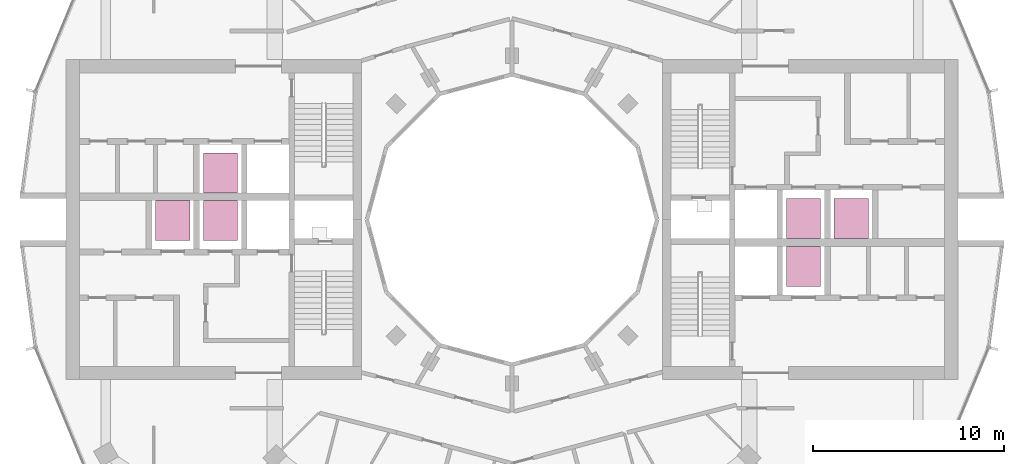
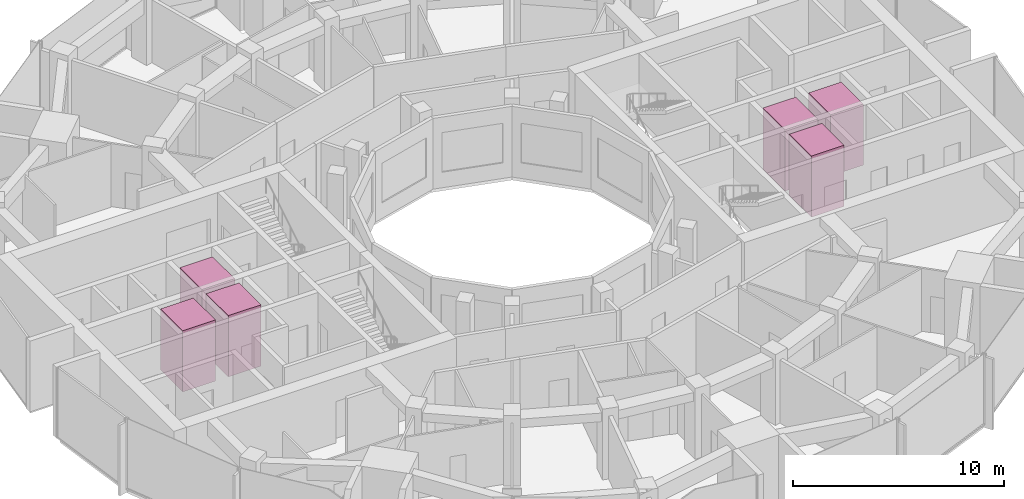
# One storey, part 15 of 15: 6 transport elements.
"""IFC4 building model written with IfcOpenShell, lengths in metres."""

from ifc_helpers import new_model, si_unit, direction, frame, origin, origin_2d, place, context, subcontext, project, spatial, rectangle, extrude, material, type_object, element, save


model = new_model("IFC4")

# Units and contexts
model_context = context("Model", 3, precision=1e-05, world=origin(), true_north=direction((0.0, 1.0)))
body_context = subcontext(model_context, "Body", "Model", "MODEL_VIEW")
ifc_project = project(units=[si_unit("LENGTHUNIT", "METRE"), si_unit("AREAUNIT", "SQUARE_METRE"), si_unit("VOLUMEUNIT", "CUBIC_METRE"), si_unit("PLANEANGLEUNIT", "RADIAN"), si_unit("MASSUNIT", "GRAM", prefix="KILO")], contexts=[model_context])

# Site, building, storey
site_placement = place(None, origin())
site = spatial("IfcSite", under=ifc_project, at=site_placement, CompositionType="ELEMENT")
building_placement = place(site_placement, origin())
building = spatial("IfcBuilding", under=site, at=building_placement, Name="Torre Brocal", CompositionType="ELEMENT")
storey_placement = place(building_placement, frame((0.0, 0.0, 182.300048828125)))
storey = spatial("IfcBuildingStorey", under=building, at=storey_placement, Name="L42", CompositionType="ELEMENT", Elevation=182.300048828125)

# Transport elements
ifc_material = material(Name="Stainless steel AISI 316", Category="steel")
transport_element_type = type_object("IfcTransportElementType", Name="PASSENGER LIFT", PredefinedType="ELEVATOR", material=ifc_material)
for number, where, z_axis, x_axis, name in (
    (1, (95.300048828125, 75.050048828125, 0.0), (0.0, 0.0, 1.0), (1.0, 0.0, 0.0), "HIGH RISE LIFT E-HR1"),
    (2, (95.300048828125, 72.550048828125, 0.0), (0.0, 0.0, 1.0), (1.0, 0.0, 0.0), "HIGH RISE LIFT E-HR2"),
    (3, (97.800048828125, 75.050048828125, 0.0), (0.0, 0.0, 1.0), (1.0, 0.0, 0.0), "HIGH RISE LIFT E-HR3"),
    (4, (64.699951171875, 74.949951171875, 0.0), (0.0, 0.0, 1.0), (1.0, 0.0, 0.0), "HIGH RISE LIFT W-HR1"),
    (5, (64.699951171875, 77.449951171875, 0.0), (0.0, 0.0, 1.0), (1.0, 0.0, 0.0), "HIGH RISE LIFT W-HR2"),
    (6, (62.199951171875, 74.949951171875, 0.0), (0.0, 0.0, 1.0), (1.0, 0.0, 0.0), "HIGH RISE LIFT W-HR3"),
):
    element("IfcTransportElement", number, at=place(storey_placement, frame(where, z_axis=z_axis, x_axis=x_axis)), inside=storey, type_object=transport_element_type, Name=name, PredefinedType="ELEVATOR", context=body_context, shape_type="SweptSolid", body=[
        extrude(rectangle(XDim=1.800048828125, YDim=2.10009765625, at=origin_2d()), origin(), (0.0, 0.0, 1.0), 3.550048828125),
    ])

save(model, "model.ifc")
